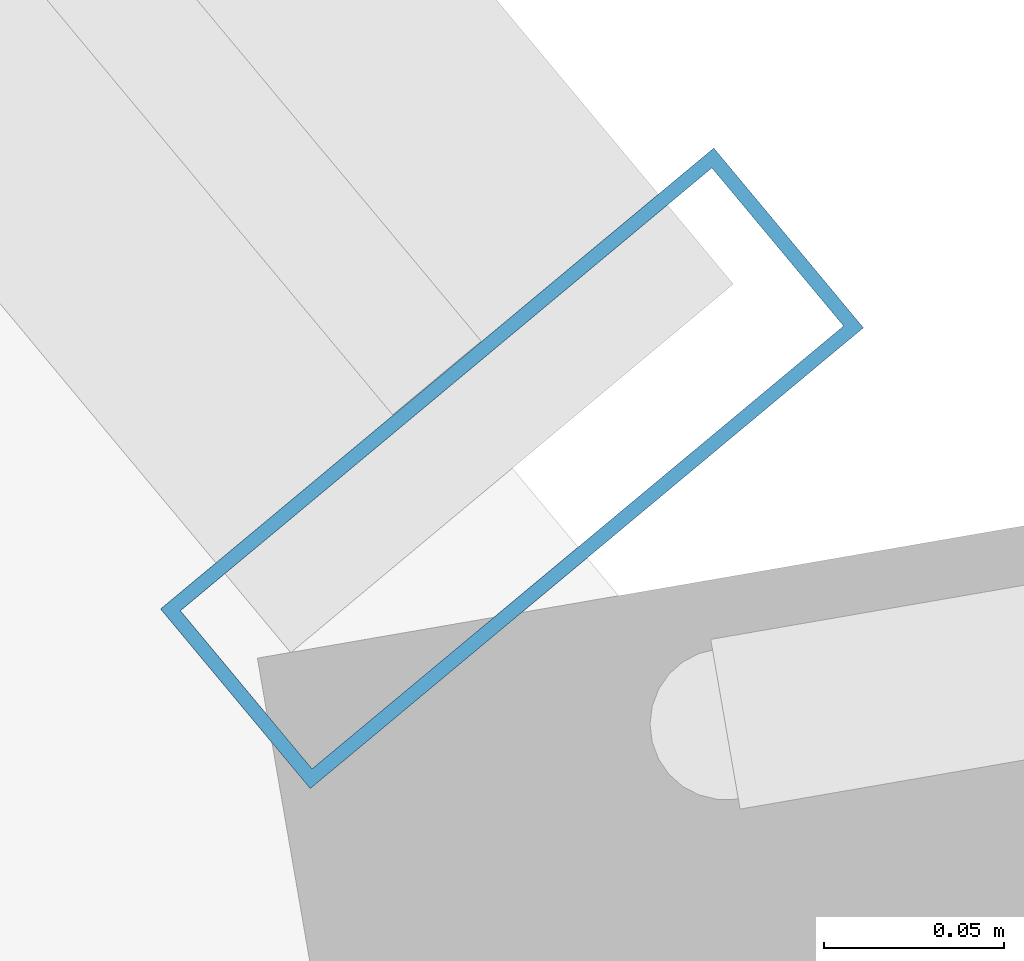
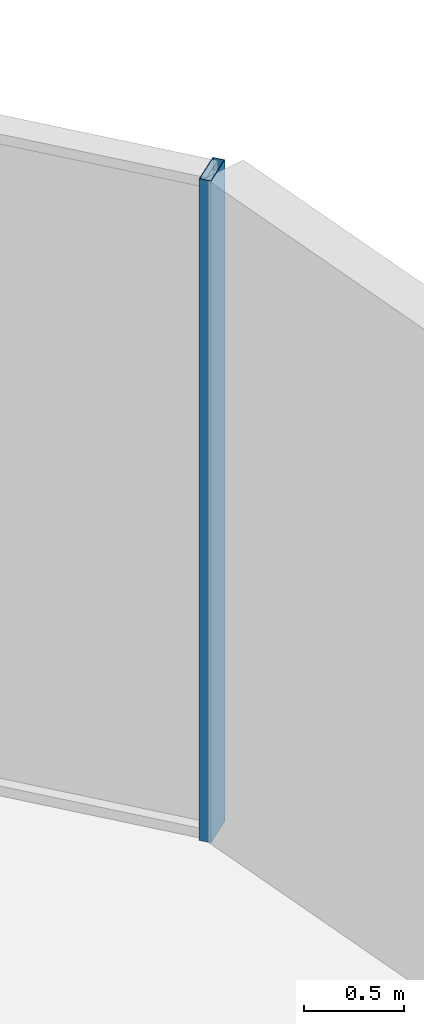
# One storey, part 19 of 35: 1 member, 1 element without a shape of its own.
"""IFC4 building model written with IfcOpenShell, lengths in metres."""

import ifcopenshell
import ifcopenshell.guid

model = None  # the IFC model being written
_history = None  # IfcOwnerHistory: only IFC2X3 demands one
_inside = {}  # id of a spatial element -> (the spatial element, [elements in it])
_under = {}  # id of a project, library or spatial element -> (it, [spatial elements below it])
_declared = {}  # id of a project -> (the project, [libraries it declares])
_typed = {}  # id of a type object -> (the type object, [elements of that type])
_made_of = {}  # id of a material, layer set ... -> (it, [elements and type objects made of it])


def new_model(schema):
    """Start an empty IFC model of exactly this schema.

    Asked for "IFC4X3", IfcOpenShell would pick the latest addendum, in which some entities
    have other attributes; the version numbers below select the first issue.
    IFC2X3 requires an IfcOwnerHistory on every rooted entity: one is made here for all.
    """
    global model, _history
    if schema == "IFC4X3":
        model = ifcopenshell.file(schema_version=(4, 3, 0, 0))
    else:
        model = ifcopenshell.file(schema=schema)
    _inside.clear()
    _under.clear()
    _declared.clear()
    _typed.clear()
    _made_of.clear()
    _history = None
    if model.schema == "IFC2X3":
        org = make("IfcOrganization", Name="unknown")
        user = make(
            "IfcPersonAndOrganization",
            ThePerson=make("IfcPerson", FamilyName="unknown"),
            TheOrganization=org,
        )
        app = make(
            "IfcApplication",
            ApplicationDeveloper=org,
            Version="unknown",
            ApplicationFullName="unknown",
            ApplicationIdentifier="unknown",
        )
        _history = make(
            "IfcOwnerHistory",
            OwningUser=user,
            OwningApplication=app,
            ChangeAction="ADDED",
            CreationDate=0,
        )
    return model


def make(cls, **values):
    """One entity of the class cls with the attributes given. An attribute that is None is left unset."""
    return model.create_entity(
        cls, **{name: value for name, value in values.items() if value is not None}
    )


def rooted(cls, **values):
    """An entity with a GlobalId (a new one), such as an element, a storey or a relation."""
    return make(cls, GlobalId=ifcopenshell.guid.new(), OwnerHistory=_history, **values)


def si_unit(unit_type, name, prefix=None):
    """IfcSIUnit, for example si_unit("LENGTHUNIT", "METRE", prefix="MILLI")."""
    return make("IfcSIUnit", UnitType=unit_type, Prefix=prefix, Name=name)


def assignment(units):
    """IfcUnitAssignment: the units of a project."""
    return None if units is None else make("IfcUnitAssignment", Units=units)


def point(xyz):
    """IfcCartesianPoint."""
    return None if xyz is None else make("IfcCartesianPoint", Coordinates=xyz)


def direction(xyz):
    """IfcDirection."""
    return None if xyz is None else make("IfcDirection", DirectionRatios=xyz)


def frame(location, z_axis=None, x_axis=None):
    """IfcAxis2Placement3D, a coordinate frame: its origin and axes. An axis left out is left unset."""
    return make(
        "IfcAxis2Placement3D",
        Location=point(location),
        Axis=direction(z_axis),
        RefDirection=direction(x_axis),
    )


def frame_2d(location, x_axis=None):
    """IfcAxis2Placement2D, a coordinate frame in the plane: its origin and x axis."""
    return make(
        "IfcAxis2Placement2D", Location=point(location), RefDirection=direction(x_axis)
    )


def origin():
    """The frame at (0, 0, 0) with its axes left unset."""
    return frame((0.0, 0.0, 0.0))


def origin_2d():
    """The frame at (0, 0) in the plane with its x axis left unset."""
    return frame_2d((0.0, 0.0))


def place(relative_to, where):
    """IfcLocalPlacement: puts the frame where relative to a parent placement (None: the world)."""
    return make(
        "IfcLocalPlacement", PlacementRelTo=relative_to, RelativePlacement=where
    )


def context(
    kind, dimensions, precision=None, world=None, true_north=None, identifier=None
):
    """IfcGeometricRepresentationContext, for example the 3D "Model" context."""
    return make(
        "IfcGeometricRepresentationContext",
        ContextIdentifier=identifier,
        ContextType=kind,
        CoordinateSpaceDimension=dimensions,
        Precision=precision,
        WorldCoordinateSystem=world,
        TrueNorth=true_north,
    )


def subcontext(parent, identifier, kind, view, scale=None):
    """IfcGeometricRepresentationSubContext, for example "Body" below "Model"."""
    return make(
        "IfcGeometricRepresentationSubContext",
        ContextIdentifier=identifier,
        ContextType=kind,
        ParentContext=parent,
        TargetScale=scale,
        TargetView=view,
    )


def project(units=None, contexts=None):
    """IfcProject with its units and contexts."""
    return rooted(
        "IfcProject",
        Name="project",
        RepresentationContexts=contexts,
        UnitsInContext=assignment(units),
    )


def spatial(cls, under=None, at=None, **own):
    """A site, building, storey or space (cls), placed at a placement, below another one or the project."""
    s = rooted(cls, ObjectPlacement=at, **own)
    if under is not None:
        _under.setdefault(under.id(), (under, []))[1].append(s)
    return s


def profile(cls, at=None, kind="AREA", **sizes):
    """A parametric profile (cls). Its sizes go by their IFC names, for example OverallWidth=200.0."""
    return make(cls, ProfileType=kind, Position=at, **sizes)


def hollow_rectangle(**sizes):
    """IfcRectangleHollowProfileDef."""
    return profile("IfcRectangleHollowProfileDef", **sizes)


def extrude(swept, where, along, depth):
    """IfcExtrudedAreaSolid: the profile swept, set in the frame where, extruded along a direction by depth."""
    return make(
        "IfcExtrudedAreaSolid",
        SweptArea=swept,
        Position=where,
        ExtrudedDirection=direction(along),
        Depth=depth,
    )


def shape(context_of_items, identifier, shape_type, items):
    """IfcShapeRepresentation: the items that make up one representation, for example the "Body"."""
    return make(
        "IfcShapeRepresentation",
        ContextOfItems=context_of_items,
        RepresentationIdentifier=identifier,
        RepresentationType=shape_type,
        Items=items,
    )


def source(mapping_origin, context_of_items, identifier, shape_type, items):
    """IfcRepresentationMap: a shape defined once, which mapped items show again and again."""
    return make(
        "IfcRepresentationMap",
        MappingOrigin=mapping_origin,
        MappedRepresentation=shape(context_of_items, identifier, shape_type, items),
    )


def transform(
    local_origin,
    x_axis=None,
    y_axis=None,
    z_axis=None,
    scale=None,
    scale2=None,
    scale3=None,
    uniform=True,
):
    """IfcCartesianTransformationOperator3D, or its non-uniform kind. x_axis, y_axis, z_axis: its Axis1, 2, 3."""
    if uniform:
        return make(
            "IfcCartesianTransformationOperator3D",
            Axis1=direction(x_axis),
            Axis2=direction(y_axis),
            LocalOrigin=point(local_origin),
            Scale=scale,
            Axis3=direction(z_axis),
        )
    return make(
        "IfcCartesianTransformationOperator3DnonUniform",
        Axis1=direction(x_axis),
        Axis2=direction(y_axis),
        LocalOrigin=point(local_origin),
        Scale=scale,
        Axis3=direction(z_axis),
        Scale2=scale2,
        Scale3=scale3,
    )


def mapped(mapping_source, mapping_target):
    """IfcMappedItem: shows the shape of a source again, moved by a transform."""
    return make(
        "IfcMappedItem", MappingSource=mapping_source, MappingTarget=mapping_target
    )


def material(Name=None, Category=None):
    """IfcMaterial."""
    return make("IfcMaterial", Name=Name, Category=Category)


def layer(
    of_material, thickness, ventilated=None, Name=None, Category=None, Priority=None
):
    """IfcMaterialLayer: one layer of a wall or slab, of a material (None: an air gap)."""
    return make(
        "IfcMaterialLayer",
        Material=of_material,
        LayerThickness=thickness,
        IsVentilated=ventilated,
        Name=Name,
        Category=Category,
        Priority=Priority,
    )


def layer_set(layers, Name=None):
    """IfcMaterialLayerSet."""
    return make("IfcMaterialLayerSet", MaterialLayers=layers, LayerSetName=Name)


def material_profile(
    of_material, cross_section, Name=None, Category=None, Priority=None
):
    """IfcMaterialProfile: a cross section and its material."""
    return make(
        "IfcMaterialProfile",
        Name=Name,
        Material=of_material,
        Profile=cross_section,
        Priority=Priority,
        Category=Category,
    )


def profile_set(profiles, Name=None, composite=None):
    """IfcMaterialProfileSet."""
    return make(
        "IfcMaterialProfileSet",
        Name=Name,
        MaterialProfiles=profiles,
        CompositeProfile=composite,
    )


def made_of(thing, what):
    """Note that an element or type object is made of a material, layer set ...; save() writes the relation."""
    if what is not None:
        _made_of.setdefault(what.id(), (what, []))[1].append(thing)
    return thing


def type_object(cls, material=None, **own):
    """A type object (cls), such as IfcWallType, which elements share."""
    return made_of(rooted(cls, **own), material)


def element(
    cls,
    number,
    at=None,
    inside=None,
    cuts=None,
    type_object=None,
    material=None,
    context=None,
    identifier="Body",
    shape_type=None,
    held_by="IfcProductDefinitionShape",
    body=None,
    shapes=None,
    **own,
):
    """One element of the class cls, such as IfcWall. Its Tag is "e" and its number.

    at: its placement. inside: the storey or other place that contains it. cuts: it is an
    opening in that element (IfcRelVoidsElement). A single representation is given by context,
    identifier, shape_type and body (its items); several are given by shapes. held_by: the class
    of the entity that holds the representations. save() writes the other relations.
    """
    e = rooted(cls, Tag="e%d" % number, ObjectPlacement=at, **own)
    if body is not None:
        shapes = [shape(context, identifier, shape_type, body)]
    if shapes is not None:
        e.Representation = make(held_by, Representations=shapes)
    if inside is not None:
        _inside.setdefault(inside.id(), (inside, []))[1].append(e)
    if cuts is not None:
        rooted(
            "IfcRelVoidsElement", RelatingBuildingElement=cuts, RelatedOpeningElement=e
        )
    if type_object is not None:
        _typed.setdefault(type_object.id(), (type_object, []))[1].append(e)
    return made_of(e, material)


def aggregate(whole, parts):
    """IfcRelAggregates: a whole, such as a stair, and the parts it consists of."""
    return rooted("IfcRelAggregates", RelatingObject=whole, RelatedObjects=parts)


def save(model, path):
    """Write the relations noted so far, then the file.

    IfcRelAggregates (storeys below a building ...), IfcRelContainedInSpatialStructure (elements
    in a storey), IfcRelDefinesByType, IfcRelAssociatesMaterial and IfcRelDeclares: one each for
    every whole, place, type object, material and project.
    """
    for whole, parts in _under.values():
        aggregate(whole, parts)
    for where, things in _inside.values():
        rooted(
            "IfcRelContainedInSpatialStructure",
            RelatedElements=things,
            RelatingStructure=where,
        )
    for kind, things in _typed.values():
        rooted("IfcRelDefinesByType", RelatedObjects=things, RelatingType=kind)
    for what, things in _made_of.values():
        rooted("IfcRelAssociatesMaterial", RelatedObjects=things, RelatingMaterial=what)
    for by, libraries in _declared.values():
        rooted("IfcRelDeclares", RelatingContext=by, RelatedDefinitions=libraries)
    model.write(path)


model = new_model("IFC4")

# Units and contexts
model_context = context("Model", 3, precision=1e-05, world=origin(), true_north=direction((0.0, 1.0)))
body_context = subcontext(model_context, "Body", "Model", "MODEL_VIEW")
ifc_project = project(units=[si_unit("LENGTHUNIT", "METRE"), si_unit("AREAUNIT", "SQUARE_METRE"), si_unit("VOLUMEUNIT", "CUBIC_METRE"), si_unit("PLANEANGLEUNIT", "RADIAN"), si_unit("MASSUNIT", "GRAM", prefix="KILO")], contexts=[model_context])

# Site, building, storey
site_placement = place(None, origin())
site = spatial("IfcSite", under=ifc_project, at=site_placement, CompositionType="ELEMENT")
building_placement = place(site_placement, origin())
building = spatial("IfcBuilding", under=site, at=building_placement, Name="Veraguas Prism Commons", CompositionType="ELEMENT")
storey_placement = place(building_placement, frame((0.0, 0.0, 56.550048828125)))
storey = spatial("IfcBuildingStorey", under=building, at=storey_placement, Name="L15", CompositionType="ELEMENT", Elevation=56.550048828125)

# Curtain wall, member
ifc_material = material(Name="Anodised aluminium EN AW-6063 T6", Category="aluminium")
ifc_layer = layer(ifc_material, 0.199951171875, Name="Sky Lobby and Pool Acoustic Curtain Wall", Category="aluminium")
ifc_layer_set = layer_set([ifc_layer], Name="Anodised aluminium EN AW-6063 T6")
curtain_wall_type = type_object("IfcCurtainWallType", Name="Sky Lobby and Pool Acoustic Curtain Wall", PredefinedType="NOTDEFINED", material=ifc_layer_set)
curtain_wall_placement = place(storey_placement, origin())
curtain_wall = element("IfcCurtainWall", 1, at=curtain_wall_placement, inside=storey, type_object=curtain_wall_type, Name="Tower Facade Curtain Wall L15-F1", PredefinedType="NOTDEFINED")
ifc_material_profile = material_profile(ifc_material, hollow_rectangle(XDim=0.06494140625, YDim=0.199951171875, WallThickness=0.00390625, at=origin_2d()), Name="AL65X200X4")
ifc_profile_set = profile_set([ifc_material_profile], Name="Anodised aluminium EN AW-6063 T6")
member_type = type_object("IfcMemberType", Name="Curtain Wall Mullion Heavy AL 65x200x4", PredefinedType="MULLION", material=ifc_profile_set)
shared_shape = source(origin(), body_context, "Body", "SweptSolid", [
    extrude(hollow_rectangle(XDim=0.06494140625, YDim=0.199951171875, WallThickness=0.00390625, at=origin_2d()), origin(), (0.0, 0.0, 1.0), 4.050048828125),
])
member_placement = place(storey_placement, frame((45.927490234375, 30.152099609375, 0.0), z_axis=(0.0, 0.0, 1.0), x_axis=(-0.640109699485, 0.768283523594, 0.0)))
member = element("IfcMember", 2, at=member_placement, type_object=member_type, Name="CW-SKY Mullion 1", PredefinedType="MULLION", context=body_context, shape_type="MappedRepresentation", body=[
    mapped(shared_shape, transform((0.0, 0.0, 0.0), scale=1.0)),
])
aggregate(curtain_wall, [member])

save(model, "model.ifc")
